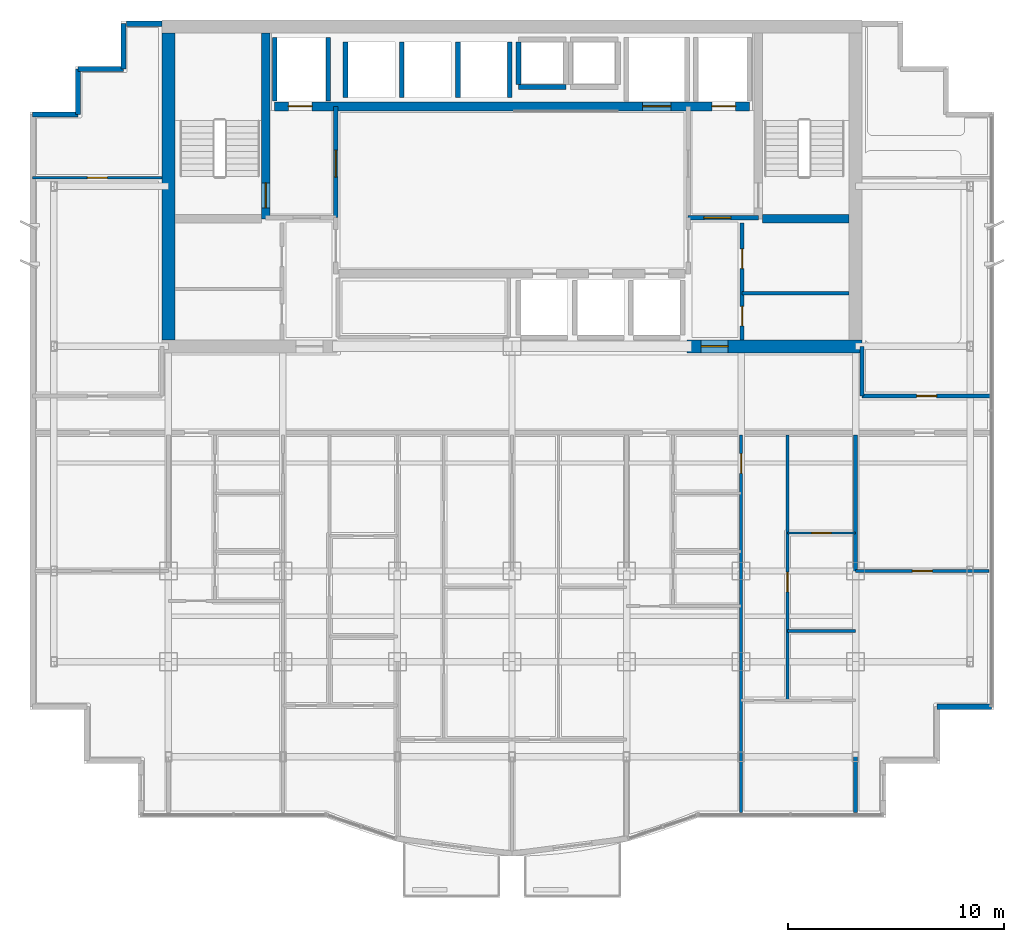
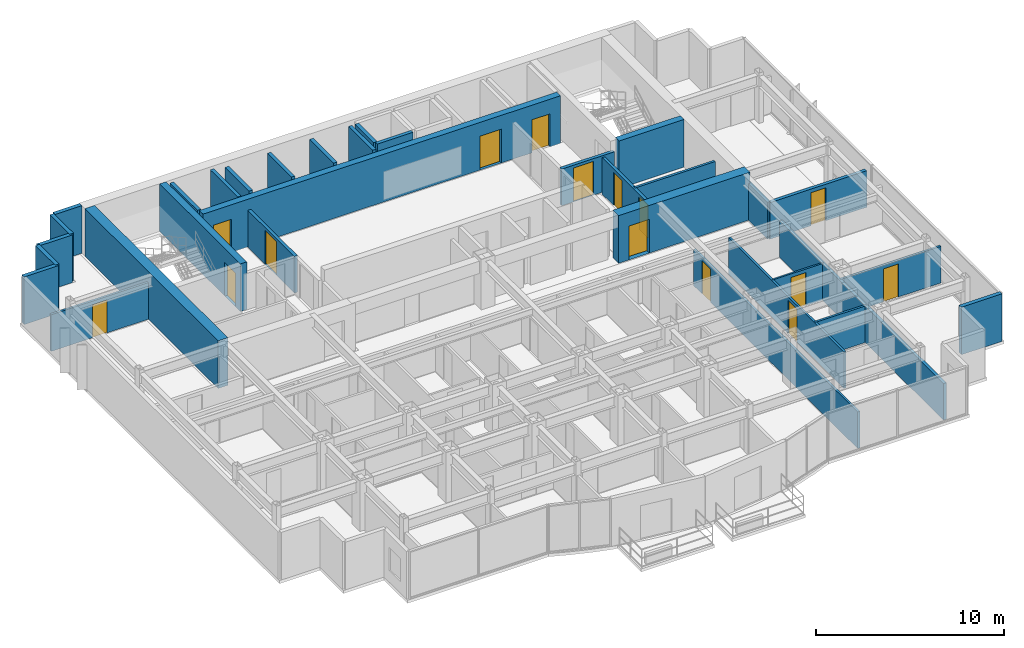
# One storey, part 10 of 13: 32 walls, 15 doors, 15 openings.
"""IFC4 building model written with IfcOpenShell, lengths in metres."""

from ifc_helpers import new_model, si_unit, direction, frame, frame_2d, origin, place, context, subcontext, project, spatial, rectangle, extrude, material, layer, layer_set, type_object, element, fill, save


model = new_model("IFC4")

# Units and contexts
model_context = context("Model", 3, precision=1e-05, world=origin(), true_north=direction((0.0, 1.0)))
body_context = subcontext(model_context, "Body", "Model", "MODEL_VIEW")
ifc_project = project(units=[si_unit("LENGTHUNIT", "METRE"), si_unit("AREAUNIT", "SQUARE_METRE"), si_unit("VOLUMEUNIT", "CUBIC_METRE"), si_unit("PLANEANGLEUNIT", "RADIAN"), si_unit("MASSUNIT", "GRAM", prefix="KILO")], contexts=[model_context])

# Site, building, storey
site_placement = place(None, origin())
site = spatial("IfcSite", under=ifc_project, at=site_placement, CompositionType="ELEMENT")
building_placement = place(site_placement, origin())
building = spatial("IfcBuilding", under=site, at=building_placement, Name="Qianlan Lanfeng Residences", CompositionType="ELEMENT")
storey_placement = place(building_placement, frame((0.0, 0.0, 178.800048828125)))
storey = spatial("IfcBuildingStorey", under=building, at=storey_placement, Name="L49", CompositionType="ELEMENT", Elevation=178.800048828125)

# Wall, opening, door
ifc_material_1 = material(Name="Concrete C56", Category="concrete")
ifc_layer_1 = layer(ifc_material_1, 0.39990234375)
ifc_layer_set_1 = layer_set([ifc_layer_1], Name="Concrete C56")
wall_type_1 = type_object("IfcWallType", Name="CW-RC-400", PredefinedType="SHEAR", material=ifc_layer_set_1)
wall_1_placement = place(storey_placement, frame((15.10009765625, 31.10009765625, 0.0), z_axis=(0.0, 0.0, 1.0), x_axis=(0.0, 1.0, 0.0)))
wall_1 = element("IfcWall", 1, at=wall_1_placement, inside=storey, type_object=wall_type_1, Name="L49 Core Shear Wall ST1E", PredefinedType="SHEAR", context=body_context, shape_type="SweptSolid", body=[
    extrude(rectangle(XDim=8.599853515625, YDim=0.39990234375, at=frame_2d((4.2998046875, 0.0))), origin(), (0.0, 0.0, 1.0), 3.099853515625),
])
opening_1_placement = place(wall_1_placement, frame((0.510009765625, 0.0, 0.0)))
opening_1 = element("IfcOpeningElement", 2, at=opening_1_placement, cuts=wall_1, Name="Opening L49-D07", PredefinedType="OPENING", context=body_context, shape_type="SweptSolid", body=[
    extrude(rectangle(XDim=1.14990234375, YDim=2.199951171875, at=frame_2d((0.574951171875, 1.10009765625))), frame((0.0, 0.2099609375, 0.0), z_axis=(0.0, -1.0, 0.0), x_axis=(1.0, 0.0, 0.0)), (0.0, 0.0, 1.0), 0.419921875),
])
ifc_material_2 = material(Name="Painted Galvanised Steel Fire Door", Category="steel")
door_type_1 = type_object("IfcDoorType", Name="DT-ST1", OperationType="NOTDEFINED", PredefinedType="DOOR", material=ifc_material_2)
door_1_placement = place(opening_1_placement, frame((1.14990234375, 0.0, 0.0), z_axis=(0.0, 0.0, 1.0), x_axis=(-1.0, 0.0, 0.0)))
door_1 = element("IfcDoor", 3, at=door_1_placement, inside=storey, type_object=door_type_1, Name="L49 Exit Stair ST-1 Door L49-D07 (DT-ST1)", OperationType="SINGLE_SWING_RIGHT", OverallHeight=2.199951171875, OverallWidth=1.14990234375, PredefinedType="DOOR", context=body_context, shape_type="SweptSolid", body=[
    extrude(rectangle(XDim=1.14990234375, YDim=2.199951171875, at=frame_2d((0.574951171875, 1.10009765625))), frame((0.0, 0.02490234375, 0.0), z_axis=(0.0, -1.0, 0.0), x_axis=(1.0, 0.0, 0.0)), (0.0, 0.0, 1.0), 0.050048828125),
])
fill(opening_1, door_1)

# Wall
wall_2_placement = place(storey_placement, frame((38.10009765625, 31.10009765625, 0.0), z_axis=(0.0, 0.0, 1.0), x_axis=(1.0, 0.0, 0.0)))
element("IfcWall", 4, at=wall_2_placement, inside=storey, type_object=wall_type_1, Name="L49 Core Shear Wall ST2S", PredefinedType="SHEAR", context=body_context, shape_type="SweptSolid", body=[
    extrude(rectangle(XDim=4.0, YDim=0.39990234375, at=frame_2d((2.0, 0.0))), origin(), (0.0, 0.0, 1.0), 3.099853515625),
])

# Wall, openings, doors
wall_3_placement = place(storey_placement, frame((15.5, 36.300048828125, 0.0), z_axis=(0.0, 0.0, 1.0), x_axis=(1.0, 0.0, 0.0)))
wall_3 = element("IfcWall", 5, at=wall_3_placement, inside=storey, type_object=wall_type_1, Name="L49 Core Shear Wall LBN", PredefinedType="SHEAR", context=body_context, shape_type="SweptSolid", body=[
    extrude(rectangle(XDim=22.0, YDim=0.39990234375, at=frame_2d((11.0, 0.0))), origin(), (0.0, 0.0, 1.0), 3.099853515625),
])
opening_2_placement = place(wall_3_placement, frame((0.64990234375, 0.0, 0.0)))
opening_2 = element("IfcOpeningElement", 6, at=opening_2_placement, cuts=wall_3, Name="Opening L49-LD-FFL-1", PredefinedType="OPENING", context=body_context, shape_type="SweptSolid", body=[
    extrude(rectangle(XDim=1.10009765625, YDim=2.14990234375, at=frame_2d((0.550048828125, 1.074951171875))), frame((0.0, 0.2099609375, 0.0), z_axis=(0.0, -1.0, 0.0), x_axis=(1.0, 0.0, 0.0)), (0.0, 0.0, 1.0), 0.419921875),
])
opening_3_placement = place(wall_3_placement, frame((20.25, 0.0, 0.0)))
opening_3 = element("IfcOpeningElement", 7, at=opening_3_placement, cuts=wall_3, Name="Opening L49-LD-FFL-2", PredefinedType="OPENING", context=body_context, shape_type="SweptSolid", body=[
    extrude(rectangle(XDim=1.10009765625, YDim=2.14990234375, at=frame_2d((0.550048828125, 1.074951171875))), frame((0.0, 0.2099609375, 0.0), z_axis=(0.0, -1.0, 0.0), x_axis=(1.0, 0.0, 0.0)), (0.0, 0.0, 1.0), 0.419921875),
])
opening_4_placement = place(wall_3_placement, frame((17.050048828125, 0.0, 0.0)))
opening_4 = element("IfcOpeningElement", 8, at=opening_4_placement, cuts=wall_3, Name="Opening L49-LD-SVL-1", PredefinedType="OPENING", context=body_context, shape_type="SweptSolid", body=[
    extrude(rectangle(XDim=1.300048828125, YDim=2.199951171875, at=frame_2d((0.64990234375, 1.10009765625))), frame((0.0, 0.2099609375, 0.0), z_axis=(0.0, -1.0, 0.0), x_axis=(1.0, 0.0, 0.0)), (0.0, 0.0, 1.0), 0.419921875),
])
ifc_material_3 = material(Name="Brushed Stainless Steel Sliding Lift Door", Category="steel")
door_type_2 = type_object("IfcDoorType", Name="LD-01", OperationType="NOTDEFINED", PredefinedType="DOOR", material=ifc_material_3)
door_2_placement = place(opening_2_placement, frame((1.10009765625, 0.0, 0.0), z_axis=(0.0, 0.0, 1.0), x_axis=(-1.0, 0.0, 0.0)))
door_2 = element("IfcDoor", 9, at=door_2_placement, inside=storey, type_object=door_type_2, Name="L49 Elevator FFL-1 Sliding Landing Door", OperationType="DOUBLE_DOOR_SLIDING", OverallHeight=2.14990234375, OverallWidth=1.10009765625, PredefinedType="DOOR", context=body_context, shape_type="SweptSolid", body=[
    extrude(rectangle(XDim=1.10009765625, YDim=2.14990234375, at=frame_2d((0.550048828125, 1.074951171875))), frame((0.0, 0.02490234375, 0.0), z_axis=(0.0, -1.0, 0.0), x_axis=(1.0, 0.0, 0.0)), (0.0, 0.0, 1.0), 0.050048828125),
])
fill(opening_2, door_2)
door_3_placement = place(opening_3_placement, frame((1.10009765625, 0.0, 0.0), z_axis=(0.0, 0.0, 1.0), x_axis=(-1.0, 0.0, 0.0)))
door_3 = element("IfcDoor", 10, at=door_3_placement, inside=storey, type_object=door_type_2, Name="L49 Elevator FFL-2 Sliding Landing Door", OperationType="DOUBLE_DOOR_SLIDING", OverallHeight=2.14990234375, OverallWidth=1.10009765625, PredefinedType="DOOR", context=body_context, shape_type="SweptSolid", body=[
    extrude(rectangle(XDim=1.10009765625, YDim=2.14990234375, at=frame_2d((0.550048828125, 1.074951171875))), frame((0.0, 0.02490234375, 0.0), z_axis=(0.0, -1.0, 0.0), x_axis=(1.0, 0.0, 0.0)), (0.0, 0.0, 1.0), 0.050048828125),
])
fill(opening_3, door_3)
door_type_3 = type_object("IfcDoorType", Name="LD-02", OperationType="NOTDEFINED", PredefinedType="DOOR", material=ifc_material_3)
door_4_placement = place(opening_4_placement, frame((1.300048828125, 0.0, 0.0), z_axis=(0.0, 0.0, 1.0), x_axis=(-1.0, 0.0, 0.0)))
door_4 = element("IfcDoor", 11, at=door_4_placement, inside=storey, type_object=door_type_3, Name="L49 Elevator SVL-1 Sliding Landing Door", OperationType="DOUBLE_DOOR_SLIDING", OverallHeight=2.199951171875, OverallWidth=1.300048828125, PredefinedType="DOOR", context=body_context, shape_type="SweptSolid", body=[
    extrude(rectangle(XDim=1.300048828125, YDim=2.199951171875, at=frame_2d((0.64990234375, 1.10009765625))), frame((0.0, 0.02490234375, 0.0), z_axis=(0.0, -1.0, 0.0), x_axis=(1.0, 0.0, 0.0)), (0.0, 0.0, 1.0), 0.050048828125),
])
fill(opening_4, door_4)

# Wall
ifc_layer_2 = layer(ifc_material_1, 0.60009765625)
ifc_layer_set_2 = layer_set([ifc_layer_2], Name="Concrete C56")
wall_type_2 = type_object("IfcWallType", Name="CW-RC-600", PredefinedType="SHEAR", material=ifc_layer_set_2)
wall_4_placement = place(storey_placement, frame((10.60009765625, 25.5, 0.0), z_axis=(0.0, 0.0, 1.0), x_axis=(0.0, 1.0, 0.0)))
element("IfcWall", 12, at=wall_4_placement, inside=storey, type_object=wall_type_2, Name="L49 Core Shear Wall W", PredefinedType="SHEAR", context=body_context, shape_type="SweptSolid", body=[
    extrude(rectangle(XDim=14.199951171875, YDim=0.60009765625, at=frame_2d((7.10009765625, 0.0))), origin(), (0.0, 0.0, 1.0), 3.099853515625),
])

# Wall, opening, door
wall_5_placement = place(storey_placement, frame((34.60009765625, 25.199951171875, 0.0), z_axis=(0.0, 0.0, 1.0), x_axis=(1.0, 0.0, 0.0)))
wall_5 = element("IfcWall", 13, at=wall_5_placement, inside=storey, type_object=wall_type_2, Name="L49 Core Shear Wall SE", PredefinedType="SHEAR", context=body_context, shape_type="SweptSolid", body=[
    extrude(rectangle(XDim=8.099853515625, YDim=0.60009765625, at=frame_2d((4.0498046875, 0.0))), origin(), (0.0, 0.0, 1.0), 3.099853515625),
])
opening_5_placement = place(wall_5_placement, frame((0.64990234375, 0.0, 0.0)))
opening_5 = element("IfcOpeningElement", 14, at=opening_5_placement, cuts=wall_5, Name="Opening L49-D02", PredefinedType="OPENING", context=body_context, shape_type="SweptSolid", body=[
    extrude(rectangle(XDim=1.25, YDim=2.199951171875, at=frame_2d((0.625, 1.10009765625))), frame((0.0, 0.31005859375, 0.0), z_axis=(0.0, -1.0, 0.0), x_axis=(1.0, 0.0, 0.0)), (0.0, 0.0, 1.0), 0.6201171875),
])
door_type_4 = type_object("IfcDoorType", Name="DT-FFL", OperationType="NOTDEFINED", PredefinedType="DOOR", material=ifc_material_2)
door_5_placement = place(opening_5_placement, frame((1.25, 0.0, 0.0), z_axis=(0.0, 0.0, 1.0), x_axis=(-1.0, 0.0, 0.0)))
door_5 = element("IfcDoor", 15, at=door_5_placement, inside=storey, type_object=door_type_4, Name="L49 East Core Lobby Smoke Door L49-D02 (DT-FFL)", OperationType="SINGLE_SWING_LEFT", OverallHeight=2.199951171875, OverallWidth=1.25, PredefinedType="DOOR", context=body_context, shape_type="SweptSolid", body=[
    extrude(rectangle(XDim=1.25, YDim=2.199951171875, at=frame_2d((0.625, 1.10009765625))), frame((0.0, 0.02490234375, 0.0), z_axis=(0.0, -1.0, 0.0), x_axis=(1.0, 0.0, 0.0)), (0.0, 0.0, 1.0), 0.050048828125),
])
fill(opening_5, door_5)

# Walls
ifc_material_4 = material(Name="Concrete C42", Category="concrete")
ifc_layer_3 = layer(ifc_material_4, 0.239990234375)
ifc_layer_set_3 = layer_set([ifc_layer_3], Name="Concrete C42")
wall_type_3 = type_object("IfcWallType", Name="EW-240", PredefinedType="SOLIDWALL", material=ifc_layer_set_3)
wall_6_placement = place(storey_placement, frame((46.179931640625, 8.52001953125, 0.0), z_axis=(0.0, 0.0, 1.0), x_axis=(1.0, 0.0, 0.0)))
element("IfcWall", 16, at=wall_6_placement, inside=storey, type_object=wall_type_3, Name="L49 Exterior Facade Spandrel Wall 10", PredefinedType="SOLIDWALL", context=body_context, shape_type="SweptSolid", body=[
    extrude(rectangle(XDim=2.5, YDim=0.239990234375, at=frame_2d((1.25, 0.0))), origin(), (0.0, 0.0, 1.0), 3.099853515625),
])
wall_7_placement = place(storey_placement, frame((10.300048828125, 40.1298828125, 0.0), z_axis=(0.0, 0.0, 1.0), x_axis=(-1.0, 0.0, 0.0)))
element("IfcWall", 17, at=wall_7_placement, inside=storey, type_object=wall_type_3, Name="L49 North Wing Exterior Wall W", PredefinedType="SOLIDWALL", context=body_context, shape_type="SweptSolid", body=[
    extrude(rectangle(XDim=1.650146484375, YDim=0.239990234375, at=frame_2d((0.8251953125, 0.0))), origin(), (0.0, 0.0, 1.0), 3.099853515625),
])
wall_8_placement = place(storey_placement, frame((8.52001953125, 40.1298828125, 0.0), z_axis=(0.0, 0.0, 1.0), x_axis=(0.0, -1.0, 0.0)))
element("IfcWall", 18, at=wall_8_placement, inside=storey, type_object=wall_type_3, Name="L49 Exterior Facade Spandrel Wall 17", PredefinedType="SOLIDWALL", context=body_context, shape_type="SweptSolid", body=[
    extrude(rectangle(XDim=2.099853515625, YDim=0.239990234375, at=frame_2d((1.0498046875, 0.0))), origin(), (0.0, 0.0, 1.0), 3.099853515625),
])
for number, where, z_axis, x_axis, name in (
    (19, (8.52001953125, 38.030029296875, 0.0), (0.0, 0.0, 1.0), (-1.0, 0.0, 0.0), "L49 Exterior Facade Spandrel Wall 18"),
    (20, (6.419921875, 38.030029296875, 0.0), (0.0, 0.0, 1.0), (0.0, -1.0, 0.0), "L49 Exterior Facade Spandrel Wall 19"),
):
    element("IfcWall", number, at=place(storey_placement, frame(where, z_axis=z_axis, x_axis=x_axis)), inside=storey, type_object=wall_type_3, Name=name, PredefinedType="SOLIDWALL", context=body_context, shape_type="SweptSolid", body=[
        extrude(rectangle(XDim=2.10009765625, YDim=0.239990234375, at=frame_2d((1.050048828125, 0.0))), origin(), (0.0, 0.0, 1.0), 3.099853515625),
    ])
wall_9_placement = place(storey_placement, frame((6.419921875, 35.929931640625, 0.0), z_axis=(0.0, 0.0, 1.0), x_axis=(-1.0, 0.0, 0.0)))
element("IfcWall", 21, at=wall_9_placement, inside=storey, type_object=wall_type_3, Name="L49 Exterior Facade Spandrel Wall 20", PredefinedType="SOLIDWALL", context=body_context, shape_type="SweptSolid", body=[
    extrude(rectangle(XDim=2.099853515625, YDim=0.239990234375, at=frame_2d((1.0498046875, 0.0))), origin(), (0.0, 0.0, 1.0), 3.099853515625),
])

# Wall, opening, door
ifc_material_5 = material(Name="Demountable Acoustic Framing Partition 110 mm")
ifc_layer_4 = layer(ifc_material_5, 0.110107421875)
ifc_layer_set_4 = layer_set([ifc_layer_4], Name="Demountable Acoustic Framing Partition 110 mm")
wall_type_4 = type_object("IfcWallType", Name="PW-110", PredefinedType="MOVABLE", material=ifc_layer_set_4)
wall_10_placement = place(storey_placement, frame((39.25, 16.56005859375, 0.0), z_axis=(0.0, 0.0, 1.0), x_axis=(1.0, 0.0, 0.0)))
wall_10 = element("IfcWall", 22, at=wall_10_placement, inside=storey, type_object=wall_type_4, Name="L49 U02 Wardrobe Split", PredefinedType="MOVABLE", context=body_context, shape_type="SweptSolid", body=[
    extrude(rectangle(XDim=3.14990234375, YDim=0.110107421875, at=frame_2d((1.574951171875, 0.0))), origin(), (0.0, 0.0, 1.0), 2.3798828125),
])
opening_6_placement = place(wall_10_placement, frame((1.114990234375, 0.0, 0.0)))
opening_6 = element("IfcOpeningElement", 23, at=opening_6_placement, cuts=wall_10, Name="Opening L49-D43", PredefinedType="OPENING", context=body_context, shape_type="SweptSolid", body=[
    extrude(rectangle(XDim=0.919921875, YDim=2.14990234375, at=frame_2d((0.4599609375, 1.074951171875))), frame((0.0, 0.06494140625, 0.0), z_axis=(0.0, -1.0, 0.0), x_axis=(1.0, 0.0, 0.0)), (0.0, 0.0, 1.0), 0.130126953125),
])
ifc_material_6 = material(Name="Glazed Timber Kitchen/Study Door", Category="wood")
door_type_5 = type_object("IfcDoorType", Name="DT-INT", OperationType="NOTDEFINED", PredefinedType="DOOR", material=ifc_material_6)
door_6_placement = place(opening_6_placement, origin())
door_6 = element("IfcDoor", 24, at=door_6_placement, inside=storey, type_object=door_type_5, Name="L49 U02 Dressing Inner Door L49-D43 (DT-INT)", OperationType="SINGLE_SWING_LEFT", OverallHeight=2.14990234375, OverallWidth=0.919921875, PredefinedType="DOOR", context=body_context, shape_type="SweptSolid", body=[
    extrude(rectangle(XDim=0.919921875, YDim=2.14990234375, at=frame_2d((0.4599609375, 1.074951171875))), frame((0.0, 0.02490234375, 0.0), z_axis=(0.0, -1.0, 0.0), x_axis=(1.0, 0.0, 0.0)), (0.0, 0.0, 1.0), 0.050048828125),
])
fill(opening_6, door_6)

ifc_material_7 = material(Name="Moisture-Resistant Gypsum Partition 135 mm")
ifc_layer_5 = layer(ifc_material_7, 0.135009765625)
ifc_layer_set_5 = layer_set([ifc_layer_5], Name="Moisture-Resistant Gypsum Partition 135 mm")
wall_type_5 = type_object("IfcWallType", Name="PW-135", PredefinedType="PARTITIONING", material=ifc_layer_set_5)
wall_11_placement = place(storey_placement, frame((37.10009765625, 3.6201171875, 0.0), z_axis=(0.0, 0.0, 1.0), x_axis=(0.0, 1.0, 0.0)))
wall_11 = element("IfcWall", 25, at=wall_11_placement, inside=storey, type_object=wall_type_5, Name="L49 U02 Bay Spine Wall 1", PredefinedType="PARTITIONING", context=body_context, shape_type="SweptSolid", body=[
    extrude(rectangle(XDim=17.47998046875, YDim=0.135009765625, at=frame_2d((8.739990234375, 0.0))), origin(), (0.0, 0.0, 1.0), 2.3798828125),
])
opening_7_placement = place(wall_11_placement, frame((15.695068359375, 0.0, 0.0)))
opening_7 = element("IfcOpeningElement", 26, at=opening_7_placement, cuts=wall_11, Name="Opening L49-D35", PredefinedType="OPENING", context=body_context, shape_type="SweptSolid", body=[
    extrude(rectangle(XDim=0.919921875, YDim=2.14990234375, at=frame_2d((0.4599609375, 1.074951171875))), frame((0.0, 0.07763671875, 0.0), z_axis=(0.0, -1.0, 0.0), x_axis=(1.0, 0.0, 0.0)), (0.0, 0.0, 1.0), 0.155029296875),
])
door_7_placement = place(opening_7_placement, origin())
door_7 = element("IfcDoor", 27, at=door_7_placement, inside=storey, type_object=door_type_5, Name="L49 U02 Internal Hall Door L49-D35 (DT-INT)", OperationType="SINGLE_SWING_LEFT", OverallHeight=2.14990234375, OverallWidth=0.919921875, PredefinedType="DOOR", context=body_context, shape_type="SweptSolid", body=[
    extrude(rectangle(XDim=0.919921875, YDim=2.14990234375, at=frame_2d((0.4599609375, 1.074951171875))), frame((0.0, 0.02490234375, 0.0), z_axis=(0.0, -1.0, 0.0), x_axis=(1.0, 0.0, 0.0)), (0.0, 0.0, 1.0), 0.050048828125),
])
fill(opening_7, door_7)

wall_12_placement = place(storey_placement, frame((39.25, 8.820068359375, 0.0), z_axis=(0.0, 0.0, 1.0), x_axis=(0.0, 1.0, 0.0)))
wall_12 = element("IfcWall", 28, at=wall_12_placement, inside=storey, type_object=wall_type_5, Name="L49 U02 Master Passage Wall", PredefinedType="PARTITIONING", context=body_context, shape_type="SweptSolid", body=[
    extrude(rectangle(XDim=12.280029296875, YDim=0.135009765625, at=frame_2d((6.14013671875, 0.0))), origin(), (0.0, 0.0, 1.0), 2.3798828125),
])
opening_8_placement = place(wall_12_placement, frame((5.010009765625, 0.0, 0.0)))
opening_8 = element("IfcOpeningElement", 29, at=opening_8_placement, cuts=wall_12, Name="Opening L49-D42", PredefinedType="OPENING", context=body_context, shape_type="SweptSolid", body=[
    extrude(rectangle(XDim=0.919921875, YDim=2.14990234375, at=frame_2d((0.4599609375, 1.074951171875))), frame((0.0, 0.07763671875, 0.0), z_axis=(0.0, -1.0, 0.0), x_axis=(1.0, 0.0, 0.0)), (0.0, 0.0, 1.0), 0.155029296875),
])
door_8_placement = place(opening_8_placement, origin())
door_8 = element("IfcDoor", 30, at=door_8_placement, inside=storey, type_object=door_type_5, Name="L49 U02 Wardrobe Door L49-D42 (DT-INT)", OperationType="SINGLE_SWING_RIGHT", OverallHeight=2.14990234375, OverallWidth=0.919921875, PredefinedType="DOOR", context=body_context, shape_type="SweptSolid", body=[
    extrude(rectangle(XDim=0.919921875, YDim=2.14990234375, at=frame_2d((0.4599609375, 1.074951171875))), frame((0.0, 0.02490234375, 0.0), z_axis=(0.0, -1.0, 0.0), x_axis=(1.0, 0.0, 0.0)), (0.0, 0.0, 1.0), 0.050048828125),
])
fill(opening_8, door_8)

# Wall
wall_13_placement = place(storey_placement, frame((39.25, 12.02001953125, 0.0), z_axis=(0.0, 0.0, 1.0), x_axis=(1.0, 0.0, 0.0)))
element("IfcWall", 31, at=wall_13_placement, inside=storey, type_object=wall_type_5, Name="L49 U02 En-Suite North Wall", PredefinedType="PARTITIONING", context=body_context, shape_type="SweptSolid", body=[
    extrude(rectangle(XDim=3.14990234375, YDim=0.135009765625, at=frame_2d((1.574951171875, 0.0))), origin(), (0.0, 0.0, 1.0), 2.3798828125),
])

# Wall, opening, door
wall_14_placement = place(storey_placement, frame((42.39990234375, 14.800048828125, 0.0), z_axis=(0.0, 0.0, 1.0), x_axis=(1.0, 0.0, 0.0)))
wall_14 = element("IfcWall", 32, at=wall_14_placement, inside=storey, type_object=wall_type_5, Name="L49 SEP Mid Partition", PredefinedType="PARTITIONING", context=body_context, shape_type="SweptSolid", body=[
    extrude(rectangle(XDim=6.18017578125, YDim=0.135009765625, at=frame_2d((3.090087890625, 0.0))), origin(), (0.0, 0.0, 1.0), 2.3798828125),
])
opening_9_placement = place(wall_14_placement, frame((2.6298828125, 0.0, 0.0)))
opening_9 = element("IfcOpeningElement", 33, at=opening_9_placement, cuts=wall_14, Name="Opening L49-D46", PredefinedType="OPENING", context=body_context, shape_type="SweptSolid", body=[
    extrude(rectangle(XDim=0.919921875, YDim=2.14990234375, at=frame_2d((0.4599609375, 1.074951171875))), frame((0.0, 0.07763671875, 0.0), z_axis=(0.0, -1.0, 0.0), x_axis=(1.0, 0.0, 0.0)), (0.0, 0.0, 1.0), 0.155029296875),
])
door_9_placement = place(opening_9_placement, origin())
door_9 = element("IfcDoor", 34, at=door_9_placement, inside=storey, type_object=door_type_5, Name="L49 SEP Inner Door L49-D46 (DT-INT)", OperationType="SINGLE_SWING_RIGHT", OverallHeight=2.14990234375, OverallWidth=0.919921875, PredefinedType="DOOR", context=body_context, shape_type="SweptSolid", body=[
    extrude(rectangle(XDim=0.919921875, YDim=2.14990234375, at=frame_2d((0.4599609375, 1.074951171875))), frame((0.0, 0.02490234375, 0.0), z_axis=(0.0, -1.0, 0.0), x_axis=(1.0, 0.0, 0.0)), (0.0, 0.0, 1.0), 0.050048828125),
])
fill(opening_9, door_9)

wall_15_placement = place(storey_placement, frame((4.320068359375, 33.0, 0.0), z_axis=(0.0, 0.0, 1.0), x_axis=(1.0, 0.0, 0.0)))
wall_15 = element("IfcWall", 35, at=wall_15_placement, inside=storey, type_object=wall_type_5, Name="L49 WW North Wing Wall", PredefinedType="PARTITIONING", context=body_context, shape_type="SweptSolid", body=[
    extrude(rectangle(XDim=5.97998046875, YDim=0.135009765625, at=frame_2d((2.989990234375, 0.0))), origin(), (0.0, 0.0, 1.0), 2.3798828125),
])
opening_10_placement = place(wall_15_placement, frame((2.530029296875, 0.0, 0.0)))
opening_10 = element("IfcOpeningElement", 36, at=opening_10_placement, cuts=wall_15, Name="Opening L49-D48", PredefinedType="OPENING", context=body_context, shape_type="SweptSolid", body=[
    extrude(rectangle(XDim=0.919921875, YDim=2.14990234375, at=frame_2d((0.4599609375, 1.074951171875))), frame((0.0, 0.07763671875, 0.0), z_axis=(0.0, -1.0, 0.0), x_axis=(1.0, 0.0, 0.0)), (0.0, 0.0, 1.0), 0.155029296875),
])
door_10_placement = place(opening_10_placement, origin())
door_10 = element("IfcDoor", 37, at=door_10_placement, inside=storey, type_object=door_type_5, Name="L49 WW Inner Salon Door L49-D48 (DT-INT)", OperationType="SINGLE_SWING_RIGHT", OverallHeight=2.14990234375, OverallWidth=0.919921875, PredefinedType="DOOR", context=body_context, shape_type="SweptSolid", body=[
    extrude(rectangle(XDim=0.919921875, YDim=2.14990234375, at=frame_2d((0.4599609375, 1.074951171875))), frame((0.0, 0.02490234375, 0.0), z_axis=(0.0, -1.0, 0.0), x_axis=(1.0, 0.0, 0.0)), (0.0, 0.0, 1.0), 0.050048828125),
])
fill(opening_10, door_10)

# Wall
ifc_material_8 = material(Name="Acoustic Drywall Partition 150 mm")
ifc_layer_6 = layer(ifc_material_8, 0.14990234375)
ifc_layer_set_6 = layer_set([ifc_layer_6], Name="Acoustic Drywall Partition 150 mm")
wall_type_6 = type_object("IfcWallType", Name="PW-150", PredefinedType="PARTITIONING", material=ifc_layer_set_6)
wall_16_placement = place(storey_placement, frame((37.14990234375, 27.64990234375, 0.0), z_axis=(0.0, 0.0, 1.0), x_axis=(1.0, 0.0, 0.0)))
element("IfcWall", 38, at=wall_16_placement, inside=storey, type_object=wall_type_6, Name="L49 Core East Split", PredefinedType="PARTITIONING", context=body_context, shape_type="SweptSolid", body=[
    extrude(rectangle(XDim=4.9501953125, YDim=0.14990234375, at=frame_2d((2.47509765625, 0.0))), origin(), (0.0, 0.0, 1.0), 2.3798828125),
])

# Wall, openings, doors
ifc_material_9 = material(Name="Double-Layer Acoustic Gypsum Stud Wall 180 mm")
ifc_layer_7 = layer(ifc_material_9, 0.179931640625)
ifc_layer_set_7 = layer_set([ifc_layer_7], Name="Double-Layer Acoustic Gypsum Stud Wall 180 mm")
wall_type_7 = type_object("IfcWallType", Name="PW-180", PredefinedType="PARTITIONING", material=ifc_layer_set_7)
wall_17_placement = place(storey_placement, frame((37.14990234375, 25.5, 0.0), z_axis=(0.0, 0.0, 1.0), x_axis=(0.0, 1.0, 0.0)))
wall_17 = element("IfcWall", 39, at=wall_17_placement, inside=storey, type_object=wall_type_7, Name="L49 Core East Service Room Wall", PredefinedType="PARTITIONING", context=body_context, shape_type="SweptSolid", body=[
    extrude(rectangle(XDim=5.39990234375, YDim=0.179931640625, at=frame_2d((2.699951171875, 0.0))), origin(), (0.0, 0.0, 1.0), 2.3798828125),
])
opening_11_placement = place(wall_17_placement, frame((0.64990234375, 0.0, 0.0)))
opening_11 = element("IfcOpeningElement", 40, at=opening_11_placement, cuts=wall_17, Name="Opening L49-D11", PredefinedType="OPENING", context=body_context, shape_type="SweptSolid", body=[
    extrude(rectangle(XDim=0.89990234375, YDim=2.14990234375, at=frame_2d((0.449951171875, 1.074951171875))), frame((0.0, 0.10009765625, 0.0), z_axis=(0.0, -1.0, 0.0), x_axis=(1.0, 0.0, 0.0)), (0.0, 0.0, 1.0), 0.199951171875),
])
opening_12_placement = place(wall_17_placement, frame((3.2900390625, 0.0, 0.0)))
opening_12 = element("IfcOpeningElement", 41, at=opening_12_placement, cuts=wall_17, Name="Opening L49-D12", PredefinedType="OPENING", context=body_context, shape_type="SweptSolid", body=[
    extrude(rectangle(XDim=0.919921875, YDim=2.14990234375, at=frame_2d((0.4599609375, 1.074951171875))), frame((0.0, 0.10009765625, 0.0), z_axis=(0.0, -1.0, 0.0), x_axis=(1.0, 0.0, 0.0)), (0.0, 0.0, 1.0), 0.199951171875),
])
door_11_placement = place(opening_12_placement, origin())
door_11 = element("IfcDoor", 42, at=door_11_placement, inside=storey, type_object=door_type_5, Name="L49 Refuse Room Door L49-D12 (DT-INT)", OperationType="SINGLE_SWING_RIGHT", OverallHeight=2.14990234375, OverallWidth=0.919921875, PredefinedType="DOOR", context=body_context, shape_type="SweptSolid", body=[
    extrude(rectangle(XDim=0.919921875, YDim=2.14990234375, at=frame_2d((0.4599609375, 1.074951171875))), frame((0.0, 0.02490234375, 0.0), z_axis=(0.0, -1.0, 0.0), x_axis=(1.0, 0.0, 0.0)), (0.0, 0.0, 1.0), 0.050048828125),
])
fill(opening_12, door_11)
ifc_material_10 = material(Name="Moisture-Resistant Timber Leaf", Category="wood")
door_type_6 = type_object("IfcDoorType", Name="DT-WC", OperationType="NOTDEFINED", PredefinedType="DOOR", material=ifc_material_10)
door_12_placement = place(opening_11_placement, origin())
door_12 = element("IfcDoor", 43, at=door_12_placement, inside=storey, type_object=door_type_6, Name="L49 Core WC Door L49-D11 (DT-WC)", OperationType="SINGLE_SWING_LEFT", OverallHeight=2.14990234375, OverallWidth=0.89990234375, PredefinedType="DOOR", context=body_context, shape_type="SweptSolid", body=[
    extrude(rectangle(XDim=0.89990234375, YDim=2.14990234375, at=frame_2d((0.449951171875, 1.074951171875))), frame((0.0, 0.02490234375, 0.0), z_axis=(0.0, -1.0, 0.0), x_axis=(1.0, 0.0, 0.0)), (0.0, 0.0, 1.0), 0.050048828125),
])
fill(opening_11, door_12)

# Wall
wall_18_placement = place(storey_placement, frame((42.39990234375, 3.6201171875, 0.0), z_axis=(0.0, 0.0, 1.0), x_axis=(0.0, 1.0, 0.0)))
element("IfcWall", 44, at=wall_18_placement, inside=storey, type_object=wall_type_7, Name="L49 Wing Boundary Party Wall E0", PredefinedType="PARTITIONING", context=body_context, shape_type="SweptSolid", body=[
    extrude(rectangle(XDim=17.47998046875, YDim=0.179931640625, at=frame_2d((8.739990234375, 0.0))), origin(), (0.0, 0.0, 1.0), 2.3798828125),
])

# Wall, opening, door
ifc_material_11 = material(Name="Autoclaved Aerated Concrete Blockwork 200 mm", Category="masonry")
ifc_layer_8 = layer(ifc_material_11, 0.199951171875)
ifc_layer_set_8 = layer_set([ifc_layer_8], Name="Autoclaved Aerated Concrete Blockwork 200 mm")
wall_type_8 = type_object("IfcWallType", Name="PW-200", PredefinedType="PARTITIONING", material=ifc_layer_set_8)
wall_19_placement = place(storey_placement, frame((18.35009765625, 31.14990234375, 0.0), z_axis=(0.0, 0.0, 1.0), x_axis=(0.0, 1.0, 0.0)))
wall_19 = element("IfcWall", 45, at=wall_19_placement, inside=storey, type_object=wall_type_8, Name="L49 Firefighting Lobby 1 East Wall", PredefinedType="PARTITIONING", context=body_context, shape_type="SweptSolid", body=[
    extrude(rectangle(XDim=5.150146484375, YDim=0.199951171875, at=frame_2d((2.5751953125, 0.0))), origin(), (0.0, 0.0, 1.0), 2.3798828125),
])
opening_13_placement = place(wall_19_placement, frame((1.875, 0.0, 0.0)))
opening_13 = element("IfcOpeningElement", 46, at=opening_13_placement, cuts=wall_19, Name="Opening L49-D04", PredefinedType="OPENING", context=body_context, shape_type="SweptSolid", body=[
    extrude(rectangle(XDim=1.25, YDim=2.199951171875, at=frame_2d((0.625, 1.10009765625))), frame((0.0, 0.10986328125, 0.0), z_axis=(0.0, -1.0, 0.0), x_axis=(1.0, 0.0, 0.0)), (0.0, 0.0, 1.0), 0.219970703125),
])
door_13_placement = place(opening_13_placement, origin())
door_13 = element("IfcDoor", 47, at=door_13_placement, inside=storey, type_object=door_type_4, Name="L49 Firefighting Lobby 1 Lift Lobby Door L49-D04 (DT-FFL)", OperationType="SINGLE_SWING_RIGHT", OverallHeight=2.199951171875, OverallWidth=1.25, PredefinedType="DOOR", context=body_context, shape_type="SweptSolid", body=[
    extrude(rectangle(XDim=1.25, YDim=2.199951171875, at=frame_2d((0.625, 1.10009765625))), frame((0.0, 0.02490234375, 0.0), z_axis=(0.0, -1.0, 0.0), x_axis=(1.0, 0.0, 0.0)), (0.0, 0.0, 1.0), 0.050048828125),
])
fill(opening_13, door_13)

wall_20_placement = place(storey_placement, frame((34.64990234375, 31.14990234375, 0.0), z_axis=(0.0, 0.0, 1.0), x_axis=(1.0, 0.0, 0.0)))
wall_20 = element("IfcWall", 48, at=wall_20_placement, inside=storey, type_object=wall_type_8, Name="L49 Firefighting Lobby 2 South Wall", PredefinedType="PARTITIONING", context=body_context, shape_type="SweptSolid", body=[
    extrude(rectangle(XDim=3.25, YDim=0.199951171875, at=frame_2d((1.625, 0.0))), origin(), (0.0, 0.0, 1.0), 2.3798828125),
])
opening_14_placement = place(wall_20_placement, frame((0.72509765625, 0.0, 0.0)))
opening_14 = element("IfcOpeningElement", 49, at=opening_14_placement, cuts=wall_20, Name="Opening L49-D05", PredefinedType="OPENING", context=body_context, shape_type="SweptSolid", body=[
    extrude(rectangle(XDim=1.25, YDim=2.199951171875, at=frame_2d((0.625, 1.10009765625))), frame((0.0, 0.10986328125, 0.0), z_axis=(0.0, -1.0, 0.0), x_axis=(1.0, 0.0, 0.0)), (0.0, 0.0, 1.0), 0.219970703125),
])
door_14_placement = place(opening_14_placement, origin())
door_14 = element("IfcDoor", 50, at=door_14_placement, inside=storey, type_object=door_type_4, Name="L49 Firefighting Lobby 2 Entry Door L49-D05 (DT-FFL)", OperationType="SINGLE_SWING_RIGHT", OverallHeight=2.199951171875, OverallWidth=1.25, PredefinedType="DOOR", context=body_context, shape_type="SweptSolid", body=[
    extrude(rectangle(XDim=1.25, YDim=2.199951171875, at=frame_2d((0.625, 1.10009765625))), frame((0.0, 0.02490234375, 0.0), z_axis=(0.0, -1.0, 0.0), x_axis=(1.0, 0.0, 0.0)), (0.0, 0.0, 1.0), 0.050048828125),
])
fill(opening_14, door_14)

wall_21_placement = place(storey_placement, frame((42.699951171875, 22.89990234375, 0.0), z_axis=(0.0, 0.0, 1.0), x_axis=(1.0, 0.0, 0.0)))
wall_21 = element("IfcWall", 51, at=wall_21_placement, inside=storey, type_object=wall_type_8, Name="L49 Corridor NE Wall", PredefinedType="PARTITIONING", context=body_context, shape_type="SweptSolid", body=[
    extrude(rectangle(XDim=5.97998046875, YDim=0.199951171875, at=frame_2d((2.989990234375, 0.0))), origin(), (0.0, 0.0, 1.0), 2.3798828125),
])
opening_15_placement = place(wall_21_placement, frame((2.530029296875, 0.0, 0.0)))
opening_15 = element("IfcOpeningElement", 52, at=opening_15_placement, cuts=wall_21, Name="Opening L49-D51", PredefinedType="OPENING", context=body_context, shape_type="SweptSolid", body=[
    extrude(rectangle(XDim=0.919921875, YDim=2.14990234375, at=frame_2d((0.4599609375, 1.074951171875))), frame((0.0, 0.10986328125, 0.0), z_axis=(0.0, -1.0, 0.0), x_axis=(1.0, 0.0, 0.0)), (0.0, 0.0, 1.0), 0.219970703125),
])
door_15_placement = place(opening_15_placement, origin())
door_15 = element("IfcDoor", 53, at=door_15_placement, inside=storey, type_object=door_type_5, Name="L49 EW Amenity Salon Door L49-D51 (DT-INT)", OperationType="SINGLE_SWING_LEFT", OverallHeight=2.14990234375, OverallWidth=0.919921875, PredefinedType="DOOR", context=body_context, shape_type="SweptSolid", body=[
    extrude(rectangle(XDim=0.919921875, YDim=2.14990234375, at=frame_2d((0.4599609375, 1.074951171875))), frame((0.0, 0.02490234375, 0.0), z_axis=(0.0, -1.0, 0.0), x_axis=(1.0, 0.0, 0.0)), (0.0, 0.0, 1.0), 0.050048828125),
])
fill(opening_15, door_15)

# Walls
wall_22_placement = place(storey_placement, frame((42.699951171875, 22.89990234375, 0.0), z_axis=(0.0, 0.0, 1.0), x_axis=(0.0, 1.0, 0.0)))
element("IfcWall", 54, at=wall_22_placement, inside=storey, type_object=wall_type_8, Name="L49 NE Wing Core Return Wall", PredefinedType="PARTITIONING", context=body_context, shape_type="SweptSolid", body=[
    extrude(rectangle(XDim=2.300048828125, YDim=0.199951171875, at=frame_2d((1.14990234375, 0.0))), origin(), (0.0, 0.0, 1.0), 2.3798828125),
])
ifc_material_12 = material(Name="Concrete C49", Category="concrete")
ifc_layer_9 = layer(ifc_material_12, 0.219970703125)
ifc_layer_set_9 = layer_set([ifc_layer_9], Name="Concrete C49")
wall_type_9 = type_object("IfcWallType", Name="SHW-220", PredefinedType="SOLIDWALL", material=ifc_layer_set_9)
for number, where, z_axis, x_axis, name in (
    (55, (15.52001953125, 36.550048828125, 0.0), (0.0, 0.0, 1.0), (0.0, 1.0, 0.0), "L49 Lift FFL-1 Shaft Wall W"),
    (56, (18.0, 36.550048828125, 0.0), (0.0, 0.0, 1.0), (0.0, 1.0, 0.0), "L49 Lift FFL-1 Shaft Wall E"),
):
    element("IfcWall", number, at=place(storey_placement, frame(where, z_axis=z_axis, x_axis=x_axis)), inside=storey, type_object=wall_type_9, Name=name, PredefinedType="SOLIDWALL", context=body_context, shape_type="SweptSolid", body=[
        extrude(rectangle(XDim=2.929931640625, YDim=0.219970703125, at=frame_2d((1.46484375, 0.0))), origin(), (0.0, 0.0, 1.0), 3.099853515625),
    ])
for number, where, z_axis, x_axis, name in (
    (57, (18.800048828125, 36.719970703125, 0.0), (0.0, 0.0, 1.0), (0.0, 1.0, 0.0), "L49 Lift PL-H1 Shaft Wall W"),
    (58, (21.39990234375, 36.719970703125, 0.0), (0.0, 0.0, 1.0), (0.0, 1.0, 0.0), "L49 Lift PL-H2 Shaft Wall W"),
    (59, (24.0, 36.719970703125, 0.0), (0.0, 0.0, 1.0), (0.0, 1.0, 0.0), "L49 Lift PL-H3 Shaft Wall W"),
    (60, (26.39990234375, 36.719970703125, 0.0), (0.0, 0.0, 1.0), (0.0, 1.0, 0.0), "L49 Lift PL-H3 Shaft Wall E"),
):
    element("IfcWall", number, at=place(storey_placement, frame(where, z_axis=z_axis, x_axis=x_axis)), inside=storey, type_object=wall_type_9, Name=name, PredefinedType="SOLIDWALL", context=body_context, shape_type="SweptSolid", body=[
        extrude(rectangle(XDim=2.56005859375, YDim=0.219970703125, at=frame_2d((1.280029296875, 0.0))), origin(), (0.0, 0.0, 1.0), 3.099853515625),
    ])
wall_23_placement = place(storey_placement, frame((26.800048828125, 37.31005859375, 0.0), z_axis=(0.0, 0.0, 1.0), x_axis=(0.0, 1.0, 0.0)))
element("IfcWall", 61, at=wall_23_placement, inside=storey, type_object=wall_type_9, Name="L49 MEP Riser MEP-R1 Shaft Wall W", PredefinedType="SOLIDWALL", context=body_context, shape_type="SweptSolid", body=[
    extrude(rectangle(XDim=1.97998046875, YDim=0.219970703125, at=frame_2d((0.989990234375, 0.0))), origin(), (0.0, 0.0, 1.0), 3.099853515625),
])
wall_24_placement = place(storey_placement, frame((26.800048828125, 37.199951171875, 0.0), z_axis=(0.0, 0.0, 1.0), x_axis=(1.0, 0.0, 0.0)))
element("IfcWall", 62, at=wall_24_placement, inside=storey, type_object=wall_type_9, Name="L49 MEP Riser MEP-R1 Shaft Wall S", PredefinedType="SOLIDWALL", context=body_context, shape_type="SweptSolid", body=[
    extrude(rectangle(XDim=2.199951171875, YDim=0.219970703125, at=frame_2d((1.10009765625, 0.0))), origin(), (0.0, 0.0, 1.0), 3.099853515625),
])

save(model, "model.ifc")
